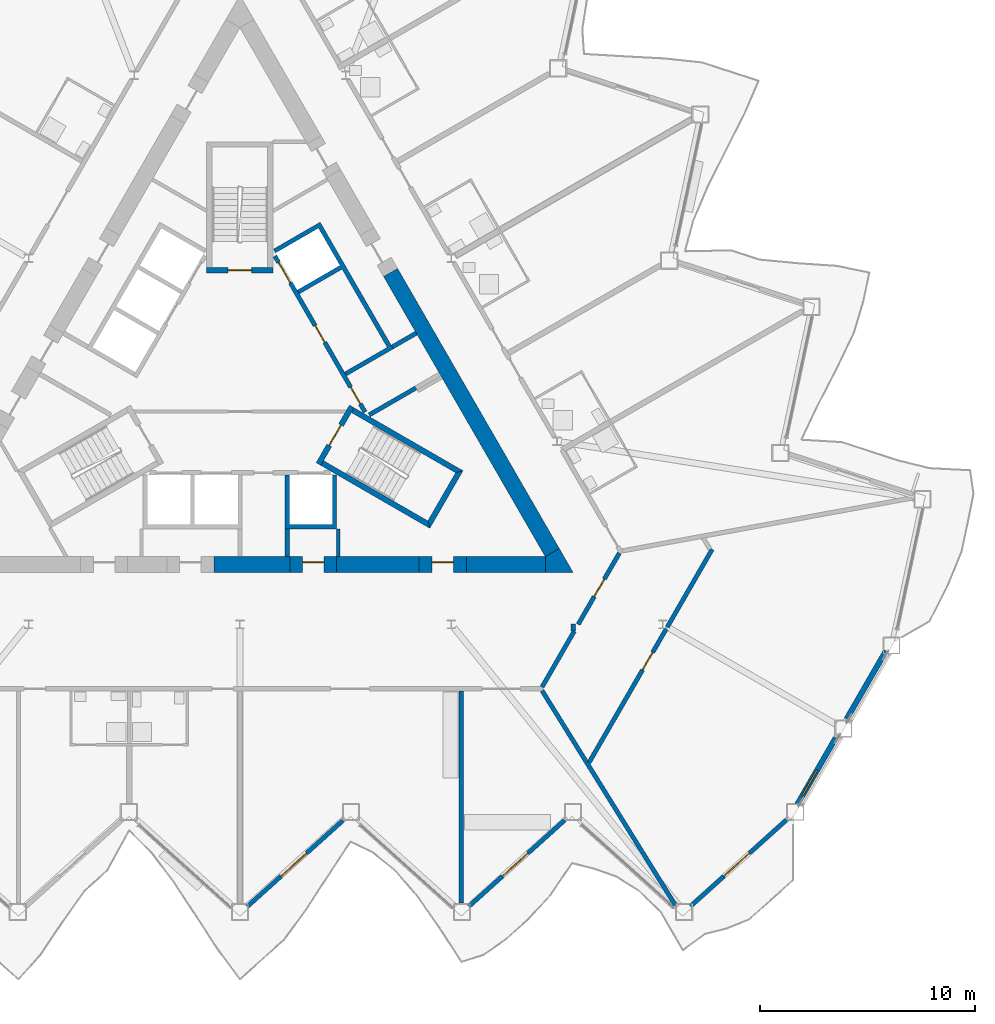
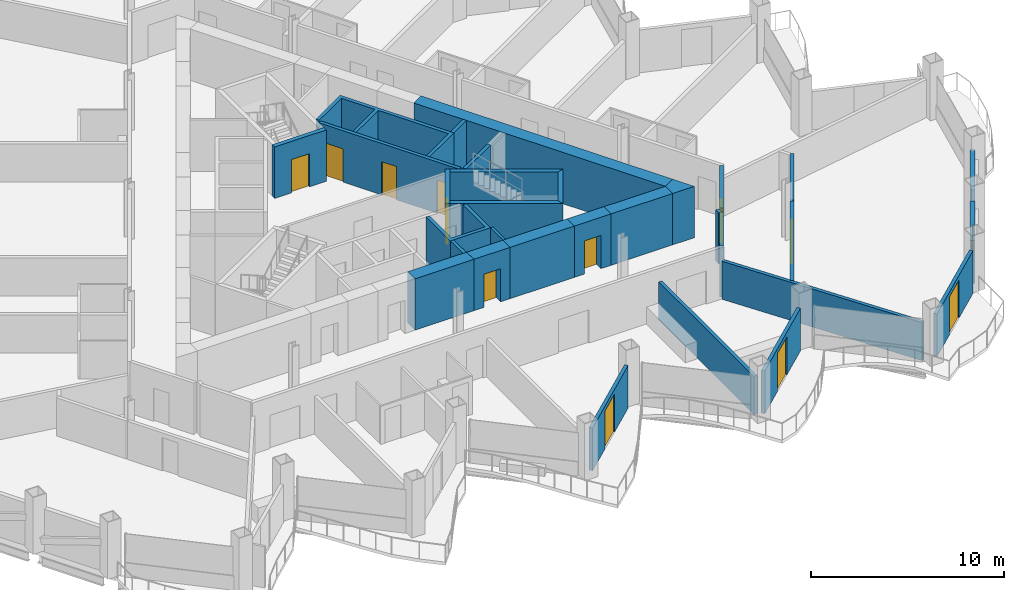
# One storey, part 13 of 24: 31 walls, 12 doors, 1 window, 13 openings.
"""IFC4 building model written with IfcOpenShell, lengths in metres."""

from ifc_helpers import new_model, si_unit, direction, frame, frame_2d, origin, place, context, subcontext, project, spatial, polyline, rectangle, outline, extrude, material, layer, layer_set, type_object, element, fill, save


model = new_model("IFC4")

# Units and contexts
model_context = context("Model", 3, precision=1e-05, world=origin(), true_north=direction((0.0, 1.0)))
body_context = subcontext(model_context, "Body", "Model", "MODEL_VIEW")
ifc_project = project(units=[si_unit("LENGTHUNIT", "METRE"), si_unit("AREAUNIT", "SQUARE_METRE"), si_unit("VOLUMEUNIT", "CUBIC_METRE"), si_unit("PLANEANGLEUNIT", "RADIAN"), si_unit("MASSUNIT", "GRAM", prefix="KILO")], contexts=[model_context])

# Site, building, storey
site_placement = place(None, origin())
site = spatial("IfcSite", under=ifc_project, at=site_placement, CompositionType="ELEMENT")
building_placement = place(site_placement, origin())
building = spatial("IfcBuilding", under=site, at=building_placement, Name="Cormorant Prow Tower", CompositionType="ELEMENT")
storey_placement = place(building_placement, frame((0.0, 0.0, 205.199951171875)))
storey = spatial("IfcBuildingStorey", under=building, at=storey_placement, Name="L45", CompositionType="ELEMENT", Elevation=205.199951171875)

# Walls
ifc_material_1 = material(Name="Gypsum board partition")
ifc_layer_1 = layer(ifc_material_1, 0.14990234375)
ifc_layer_set_1 = layer_set([ifc_layer_1], Name="Gypsum board partition")
wall_type_1 = type_object("IfcWallType", Name="Core partition 150", PredefinedType="PARTITIONING", material=ifc_layer_set_1)
wall_1_placement = place(storey_placement, frame((4.574951171875, -6.906005859375, 0.0), z_axis=(0.0, 0.0, 1.0), x_axis=(0.0, -1.0, 0.0)))
element("IfcWall", 1, at=wall_1_placement, inside=storey, type_object=wall_type_1, Name="Service room partition", PredefinedType="PARTITIONING", context=body_context, shape_type="SweptSolid", body=[
    extrude(rectangle(XDim=1.29296875, YDim=0.14990234375, at=frame_2d((0.646484375, 0.0))), origin(), (0.0, 0.0, 1.0), 3.25),
])
ifc_material_2 = material(Name="Concrete 8000 psi", Category="concrete")
ifc_layer_2 = layer(ifc_material_2, 0.75)
ifc_layer_set_2 = layer_set([ifc_layer_2], Name="Concrete 8000 psi")
wall_type_2 = type_object("IfcWallType", Name="Core shear wall 750", PredefinedType="SHEAR", material=ifc_layer_set_2)
wall_2_placement = place(storey_placement, frame((4.47998046875, -8.573974609375, 0.0), z_axis=(0.0, 0.0, 1.0), x_axis=(1.0, 0.0, 0.0)))
element("IfcWall", 2, at=wall_2_placement, inside=storey, type_object=wall_type_2, Name="Core wall", PredefinedType="SHEAR", context=body_context, shape_type="SweptSolid", body=[
    extrude(rectangle(XDim=3.845458984375, YDim=0.75, at=frame_2d((1.9228515625, 0.0))), origin(), (0.0, 0.0, 1.0), 3.25),
])
wall_3_placement = place(storey_placement, frame((10.525390625, -8.573974609375, 0.0), z_axis=(0.0, 0.0, 1.0), x_axis=(1.0, 0.0, 0.0)))
element("IfcWall", 3, at=wall_3_placement, inside=storey, type_object=wall_type_2, Name="Core wall", PredefinedType="SHEAR", context=body_context, shape_type="SweptSolid", body=[
    extrude(rectangle(XDim=3.675537109375, YDim=0.75, at=frame_2d((1.837890625, 0.0))), origin(), (0.0, 0.0, 1.0), 3.25),
])
wall_4_placement = place(storey_placement, frame((-1.199951171875, -8.573974609375, 0.0), z_axis=(0.0, 0.0, 1.0), x_axis=(1.0, 0.0, 0.0)))
element("IfcWall", 4, at=wall_4_placement, inside=storey, type_object=wall_type_2, Name="Core wall", PredefinedType="SHEAR", context=body_context, shape_type="SweptSolid", body=[
    extrude(rectangle(XDim=3.52001953125, YDim=0.75, at=frame_2d((1.760009765625, 0.0))), origin(), (0.0, 0.0, 1.0), 3.25),
])
wall_5_placement = place(storey_placement, frame((14.525634765625, -8.011474609375, 0.0), z_axis=(0.0, 0.0, 1.0), x_axis=(-0.499996012963, 0.866027705689, 0.0)))
element("IfcWall", 5, at=wall_5_placement, inside=storey, type_object=wall_type_2, Name="Core wall", PredefinedType="SHEAR", context=body_context, shape_type="SweptSolid", body=[
    extrude(rectangle(XDim=15.03857421875, YDim=0.75, at=frame_2d((7.519287109375, 0.0))), origin(), (0.0, 0.0, 1.0), 3.25),
])
wall_6_placement = place(storey_placement, origin())
element("IfcWall", 6, at=wall_6_placement, inside=storey, type_object=wall_type_2, Name="Core wall corner", PredefinedType="SHEAR", context=body_context, shape_type="SweptSolid", body=[
    extrude(outline(polyline([(14.200927734375, -8.948974609375), (14.200927734375, -8.198974609375), (14.8505859375, -7.823974609375), (15.5, -8.948974609375), (14.200927734375, -8.948974609375)])), origin(), (0.0, 0.0, 1.0), 3.25),
])

# Wall, opening, door
wall_7_placement = place(storey_placement, frame((2.320068359375, -8.573974609375, 0.0), z_axis=(0.0, 0.0, 1.0), x_axis=(1.0, 0.0, 0.0)))
wall_7 = element("IfcWall", 7, at=wall_7_placement, inside=storey, type_object=wall_type_2, Name="Core wall door panel", PredefinedType="SHEAR", context=body_context, shape_type="SweptSolid", body=[
    extrude(rectangle(XDim=2.159912109375, YDim=0.75, at=frame_2d((1.080078125, 0.0))), origin(), (0.0, 0.0, 1.0), 3.25),
])
opening_1_placement = place(wall_7_placement, frame((0.60009765625, 0.0, 0.0)))
opening_1 = element("IfcOpeningElement", 8, at=opening_1_placement, cuts=wall_7, Name="Opening L45-C15", PredefinedType="OPENING", context=body_context, shape_type="SweptSolid", body=[
    extrude(rectangle(XDim=1.0, YDim=2.10009765625, at=frame_2d((0.5, 1.050048828125))), frame((0.0, 0.385009765625, 0.0), z_axis=(0.0, -1.0, 0.0), x_axis=(1.0, 0.0, 0.0)), (0.0, 0.0, 1.0), 0.77001953125),
])
ifc_material_3 = material(Name="Painted steel", Category="steel")
door_type_1 = type_object("IfcDoorType", Name="Service door 1000x2100", OperationType="NOTDEFINED", PredefinedType="DOOR", material=ifc_material_3)
door_1_placement = place(opening_1_placement, origin())
door_1 = element("IfcDoor", 9, at=door_1_placement, inside=storey, type_object=door_type_1, Name="Core door, Telecom room", OperationType="SINGLE_SWING_RIGHT", OverallHeight=2.10009765625, OverallWidth=1.0, PredefinedType="DOOR", context=body_context, shape_type="SweptSolid", body=[
    extrude(rectangle(XDim=1.0, YDim=2.10009765625, at=frame_2d((0.5, 1.050048828125))), frame((0.0, 0.1298828125, 0.0), z_axis=(0.0, -1.0, 0.0), x_axis=(1.0, 0.0, 0.0)), (0.0, 0.0, 1.0), 0.050048828125),
])
fill(opening_1, door_1)

wall_8_placement = place(storey_placement, frame((8.325439453125, -8.573974609375, 0.0), z_axis=(0.0, 0.0, 1.0), x_axis=(1.0, 0.0, 0.0)))
wall_8 = element("IfcWall", 10, at=wall_8_placement, inside=storey, type_object=wall_type_2, Name="Core wall door panel", PredefinedType="SHEAR", context=body_context, shape_type="SweptSolid", body=[
    extrude(rectangle(XDim=2.199951171875, YDim=0.75, at=frame_2d((1.10009765625, 0.0))), origin(), (0.0, 0.0, 1.0), 3.25),
])
opening_2_placement = place(wall_8_placement, frame((0.60009765625, 0.0, 0.0)))
opening_2 = element("IfcOpeningElement", 11, at=opening_2_placement, cuts=wall_8, Name="Opening L45-C17", PredefinedType="OPENING", context=body_context, shape_type="SweptSolid", body=[
    extrude(rectangle(XDim=1.0, YDim=2.10009765625, at=frame_2d((0.5, 1.050048828125))), frame((0.0, 0.385009765625, 0.0), z_axis=(0.0, -1.0, 0.0), x_axis=(1.0, 0.0, 0.0)), (0.0, 0.0, 1.0), 0.77001953125),
])
door_2_placement = place(opening_2_placement, origin())
door_2 = element("IfcDoor", 12, at=door_2_placement, inside=storey, type_object=door_type_1, Name="Core door, Cleaners store", OperationType="SINGLE_SWING_RIGHT", OverallHeight=2.10009765625, OverallWidth=1.0, PredefinedType="DOOR", context=body_context, shape_type="SweptSolid", body=[
    extrude(rectangle(XDim=1.0, YDim=2.10009765625, at=frame_2d((0.5, 1.050048828125))), frame((0.0, 0.1298828125, 0.0), z_axis=(0.0, -1.0, 0.0), x_axis=(1.0, 0.0, 0.0)), (0.0, 0.0, 1.0), 0.050048828125),
])
fill(opening_2, door_2)

ifc_material_4 = material(Name="Gypsum board corridor wall")
ifc_layer_3 = layer(ifc_material_4, 0.199951171875)
ifc_layer_set_3 = layer_set([ifc_layer_3], Name="Gypsum board corridor wall")
wall_type_3 = type_object("IfcWallType", Name="Corridor wall 200", PredefinedType="PARTITIONING", material=ifc_layer_set_3)
wall_9_placement = place(storey_placement, frame((15.73095703125, -11.348876953125, 0.0), z_axis=(0.0, 0.0, 1.0), x_axis=(0.499961815444, 0.866047448526, 0.0)))
wall_9 = element("IfcWall", 13, at=wall_9_placement, inside=storey, type_object=wall_type_3, Name="Corridor wall", PredefinedType="PARTITIONING", context=body_context, shape_type="SweptSolid", body=[
    extrude(rectangle(XDim=3.825927734375, YDim=0.199951171875, at=frame_2d((1.9130859375, 0.0))), origin(), (0.0, 0.0, 1.0), 3.25),
])
opening_3_placement = place(wall_9_placement, frame((1.48974609375, 0.0, 0.0)))
opening_3 = element("IfcOpeningElement", 14, at=opening_3_placement, cuts=wall_9, Name="Opening L45-F08", PredefinedType="OPENING", context=body_context, shape_type="SweptSolid", body=[
    extrude(rectangle(XDim=0.949951171875, YDim=2.10009765625, at=frame_2d((0.47509765625, 1.050048828125))), frame((0.0, 0.10986328125, 0.0), z_axis=(0.0, -1.0, 0.0), x_axis=(1.0, 0.0, 0.0)), (0.0, 0.0, 1.0), 0.219970703125),
])
ifc_material_5 = material(Name="Timber door leaf", Category="wood")
door_type_2 = type_object("IfcDoorType", Name="Store door 950x2100", OperationType="NOTDEFINED", PredefinedType="DOOR", material=ifc_material_5)
door_3_placement = place(opening_3_placement, origin())
door_3 = element("IfcDoor", 15, at=door_3_placement, inside=storey, type_object=door_type_2, Name="Housekeeping room door", OperationType="SINGLE_SWING_RIGHT", OverallHeight=2.10009765625, OverallWidth=0.949951171875, PredefinedType="DOOR", context=body_context, shape_type="SweptSolid", body=[
    extrude(rectangle(XDim=0.949951171875, YDim=2.10009765625, at=frame_2d((0.47509765625, 1.050048828125))), frame((0.0, 0.02490234375, 0.0), z_axis=(0.0, -1.0, 0.0), x_axis=(1.0, 0.0, 0.0)), (0.0, 0.0, 1.0), 0.050048828125),
])
fill(opening_3, door_3)

# Walls
wall_10_placement = place(storey_placement, frame((14.048828125, -14.26220703125, 0.0), z_axis=(0.0, 0.0, 1.0), x_axis=(0.500048608389, 0.865997337899, 0.0)))
element("IfcWall", 16, at=wall_10_placement, inside=storey, type_object=wall_type_3, Name="Corridor wall", PredefinedType="PARTITIONING", context=body_context, shape_type="SweptSolid", body=[
    extrude(rectangle(XDim=3.002197265625, YDim=0.199951171875, at=frame_2d((1.5009765625, 0.0))), origin(), (0.0, 0.0, 1.0), 3.25),
])
wall_11_placement = place(storey_placement, frame((15.5, -11.64892578125, 0.0), z_axis=(0.0, 0.0, 1.0), x_axis=(0.0, 1.0, 0.0)))
element("IfcWall", 17, at=wall_11_placement, inside=storey, type_object=wall_type_3, Name="Corridor wall", PredefinedType="PARTITIONING", context=body_context, shape_type="SweptSolid", body=[
    extrude(rectangle(XDim=0.31005859375, YDim=0.199951171875, at=frame_2d((0.155029296875, 0.0))), origin(), (0.0, 0.0, 1.0), 3.25),
])
ifc_material_6 = material(Name="Gypsum board demising wall")
ifc_layer_4 = layer(ifc_material_6, 0.199951171875)
ifc_layer_set_4 = layer_set([ifc_layer_4], Name="Gypsum board demising wall")
wall_type_4 = type_object("IfcWallType", Name="Demising wall 200", PredefinedType="PARTITIONING", material=ifc_layer_set_4)
wall_12_placement = place(storey_placement, frame((14.051513671875, -14.433837890625, 0.0), z_axis=(0.0, 0.0, 1.0), x_axis=(0.527581174538, -0.849504622868, 0.0)))
element("IfcWall", 18, at=wall_12_placement, inside=storey, type_object=wall_type_4, Name="Demising wall", PredefinedType="PARTITIONING", context=body_context, shape_type="SweptSolid", body=[
    extrude(rectangle(XDim=11.74658203125, YDim=0.199951171875, at=frame_2d((5.873291015625, 0.0))), origin(), (0.0, 0.0, 1.0), 2.404296875),
])
wall_13_placement = place(storey_placement, frame((10.296142578125, -24.3115234375, 0.0), z_axis=(0.0, 0.0, 1.0), x_axis=(0.0, 1.0, 0.0)))
element("IfcWall", 19, at=wall_13_placement, inside=storey, type_object=wall_type_4, Name="Demising wall", PredefinedType="PARTITIONING", context=body_context, shape_type="SweptSolid", body=[
    extrude(rectangle(XDim=9.862548828125, YDim=0.199951171875, at=frame_2d((4.93115234375, 0.0))), origin(), (0.0, 0.0, 1.0), 2.404296875),
])

# Wall, opening, door
wall_14_placement = place(storey_placement, frame((16.23291015625, -17.779296875, 0.0), z_axis=(0.0, 0.0, 1.0), x_axis=(0.500008997517, 0.866020209003, 0.0)))
wall_14 = element("IfcWall", 20, at=wall_14_placement, inside=storey, type_object=wall_type_4, Name="Demising wall", PredefinedType="PARTITIONING", context=body_context, shape_type="SweptSolid", body=[
    extrude(rectangle(XDim=7.178466796875, YDim=0.199951171875, at=frame_2d((3.58935546875, 0.0))), origin(), (0.0, 0.0, 1.0), 2.404296875),
])
opening_4_placement = place(wall_14_placement, frame((4.973388671875, 0.0, 0.0)))
opening_4 = element("IfcOpeningElement", 21, at=opening_4_placement, cuts=wall_14, Name="Opening L45-F09", PredefinedType="OPENING", context=body_context, shape_type="SweptSolid", body=[
    extrude(rectangle(XDim=0.949951171875, YDim=2.10009765625, at=frame_2d((0.47509765625, 1.050048828125))), frame((0.0, 0.10986328125, 0.0), z_axis=(0.0, -1.0, 0.0), x_axis=(1.0, 0.0, 0.0)), (0.0, 0.0, 1.0), 0.219970703125),
])
door_4_placement = place(opening_4_placement, origin())
door_4 = element("IfcDoor", 22, at=door_4_placement, inside=storey, type_object=door_type_2, Name="Linen store door", OperationType="SINGLE_SWING_RIGHT", OverallHeight=2.10009765625, OverallWidth=0.949951171875, PredefinedType="DOOR", context=body_context, shape_type="SweptSolid", body=[
    extrude(rectangle(XDim=0.949951171875, YDim=2.10009765625, at=frame_2d((0.47509765625, 1.050048828125))), frame((0.0, 0.02490234375, 0.0), z_axis=(0.0, -1.0, 0.0), x_axis=(1.0, 0.0, 0.0)), (0.0, 0.0, 1.0), 0.050048828125),
])
fill(opening_4, door_4)

# Wall
wall_15_placement = place(storey_placement, frame((19.87060546875, -11.478759765625, 0.0), z_axis=(0.0, 0.0, 1.0), x_axis=(0.499987304225, 0.866032733569, 0.0)))
element("IfcWall", 23, at=wall_15_placement, inside=storey, type_object=wall_type_4, Name="Demising wall", PredefinedType="PARTITIONING", context=body_context, shape_type="SweptSolid", body=[
    extrude(rectangle(XDim=4.17578125, YDim=0.199951171875, at=frame_2d((2.087890625, 0.0))), origin(), (0.0, 0.0, 1.0), 2.404296875),
])

# Wall, openings, doors
ifc_material_7 = material(Name="Concrete 5000 psi", Category="concrete")
ifc_layer_5 = layer(ifc_material_7, 0.199951171875)
ifc_layer_set_5 = layer_set([ifc_layer_5], Name="Concrete 5000 psi")
wall_type_5 = type_object("IfcWallType", Name="Lift lobby wall 200", PredefinedType="SOLIDWALL", material=ifc_layer_set_5)
wall_16_placement = place(storey_placement, frame((5.817138671875, -1.4755859375, 0.0), z_axis=(0.0, 0.0, 1.0), x_axis=(-0.500002616675, 0.866023893041, 0.0)))
wall_16 = element("IfcWall", 24, at=wall_16_placement, inside=storey, type_object=wall_type_5, Name="Lift lobby wall, ENE block", PredefinedType="SOLIDWALL", context=body_context, shape_type="SweptSolid", body=[
    extrude(rectangle(XDim=8.373046875, YDim=0.199951171875, at=frame_2d((4.1865234375, 0.0))), origin(), (0.0, 0.0, 1.0), 3.25),
])
opening_5_placement = place(wall_16_placement, frame((0.4365234375, 0.0, 0.0)))
opening_5 = element("IfcOpeningElement", 25, at=opening_5_placement, cuts=wall_16, Name="Opening L45-C05", PredefinedType="OPENING", context=body_context, shape_type="SweptSolid", body=[
    extrude(rectangle(XDim=0.89990234375, YDim=2.10009765625, at=frame_2d((0.449951171875, 1.050048828125))), frame((0.0, 0.10986328125, 0.0), z_axis=(0.0, -1.0, 0.0), x_axis=(1.0, 0.0, 0.0)), (0.0, 0.0, 1.0), 0.219970703125),
])
opening_6_placement = place(wall_16_placement, frame((3.736572265625, 0.0, 0.0)))
opening_6 = element("IfcOpeningElement", 26, at=opening_6_placement, cuts=wall_16, Name="Opening L45-C06", PredefinedType="OPENING", context=body_context, shape_type="SweptSolid", body=[
    extrude(rectangle(XDim=0.89990234375, YDim=2.10009765625, at=frame_2d((0.449951171875, 1.050048828125))), frame((0.0, 0.10986328125, 0.0), z_axis=(0.0, -1.0, 0.0), x_axis=(1.0, 0.0, 0.0)), (0.0, 0.0, 1.0), 0.219970703125),
])
opening_7_placement = place(wall_16_placement, frame((6.9365234375, 0.0, 0.0)))
opening_7 = element("IfcOpeningElement", 27, at=opening_7_placement, cuts=wall_16, Name="Opening L45-C07", PredefinedType="OPENING", context=body_context, shape_type="SweptSolid", body=[
    extrude(rectangle(XDim=1.10009765625, YDim=2.10009765625, at=frame_2d((0.550048828125, 1.050048828125))), frame((0.0, 0.10986328125, 0.0), z_axis=(0.0, -1.0, 0.0), x_axis=(1.0, 0.0, 0.0)), (0.0, 0.0, 1.0), 0.219970703125),
])
ifc_material_8 = material(Name="Painted steel", Category="steel")
door_type_3 = type_object("IfcDoorType", Name="Lift landing door 1100x2100", OperationType="SLIDING_TO_LEFT", PredefinedType="DOOR", material=ifc_material_8)
door_5_placement = place(opening_7_placement, origin())
door_5 = element("IfcDoor", 28, at=door_5_placement, inside=storey, type_object=door_type_3, Name="Landing door MR1", OperationType="SLIDING_TO_LEFT", OverallHeight=2.10009765625, OverallWidth=1.10009765625, PredefinedType="DOOR", context=body_context, shape_type="SweptSolid", body=[
    extrude(rectangle(XDim=1.10009765625, YDim=2.10009765625, at=frame_2d((0.550048828125, 1.050048828125))), frame((0.0, 0.02490234375, 0.0), z_axis=(0.0, -1.0, 0.0), x_axis=(1.0, 0.0, 0.0)), (0.0, 0.0, 1.0), 0.050048828125),
])
fill(opening_7, door_5)
ifc_material_9 = material(Name="Painted steel", Category="steel")
door_type_4 = type_object("IfcDoorType", Name="Service door 900x2100", OperationType="NOTDEFINED", PredefinedType="DOOR", material=ifc_material_9)
door_6_placement = place(opening_5_placement, origin())
door_6 = element("IfcDoor", 29, at=door_6_placement, inside=storey, type_object=door_type_4, Name="Service door, Linen store", OperationType="SINGLE_SWING_LEFT", OverallHeight=2.10009765625, OverallWidth=0.89990234375, PredefinedType="DOOR", context=body_context, shape_type="SweptSolid", body=[
    extrude(rectangle(XDim=0.89990234375, YDim=2.10009765625, at=frame_2d((0.449951171875, 1.050048828125))), frame((0.0, 0.02490234375, 0.0), z_axis=(0.0, -1.0, 0.0), x_axis=(1.0, 0.0, 0.0)), (0.0, 0.0, 1.0), 0.050048828125),
])
fill(opening_5, door_6)
door_7_placement = place(opening_6_placement, origin())
door_7 = element("IfcDoor", 30, at=door_7_placement, inside=storey, type_object=door_type_4, Name="Service door, Refuse store", OperationType="SINGLE_SWING_LEFT", OverallHeight=2.10009765625, OverallWidth=0.89990234375, PredefinedType="DOOR", context=body_context, shape_type="SweptSolid", body=[
    extrude(rectangle(XDim=0.89990234375, YDim=2.10009765625, at=frame_2d((0.449951171875, 1.050048828125))), frame((0.0, 0.02490234375, 0.0), z_axis=(0.0, -1.0, 0.0), x_axis=(1.0, 0.0, 0.0)), (0.0, 0.0, 1.0), 0.050048828125),
])
fill(opening_6, door_7)

# Walls
ifc_material_10 = material(Name="Concrete 8000 psi", Category="concrete")
ifc_layer_6 = layer(ifc_material_10, 0.199951171875)
ifc_layer_set_6 = layer_set([ifc_layer_6], Name="Concrete 8000 psi")
wall_type_6 = type_object("IfcWallType", Name="Lift shaft wall 200", PredefinedType="SHEAR", material=ifc_layer_set_6)
wall_17_placement = place(storey_placement, origin())
element("IfcWall", 31, at=wall_17_placement, inside=storey, type_object=wall_type_6, Name="Lift shaft walls, S block", PredefinedType="SHEAR", context=body_context, shape_type="SweptSolid", body=[
    extrude(outline(polyline([(4.5, -4.39990234375), (4.5, -6.906005859375), (2.10009765625, -6.906005859375), (2.10009765625, -4.39990234375), (2.300048828125, -4.39990234375), (2.300048828125, -6.699951171875), (4.300048828125, -6.699951171875), (4.300048828125, -4.39990234375), (4.5, -4.39990234375)])), origin(), (0.0, 0.0, 1.0), 3.25),
])
wall_18_placement = place(storey_placement, frame((2.199951171875, -6.906005859375, 0.0), z_axis=(0.0, 0.0, 1.0), x_axis=(0.0, -1.0, 0.0)))
element("IfcWall", 32, at=wall_18_placement, inside=storey, type_object=wall_type_6, Name="Store side wall", PredefinedType="SHEAR", context=body_context, shape_type="SweptSolid", body=[
    extrude(rectangle(XDim=1.29296875, YDim=0.199951171875, at=frame_2d((0.646484375, 0.0))), origin(), (0.0, 0.0, 1.0), 3.25),
])
wall_19_placement = place(storey_placement, origin())
element("IfcWall", 33, at=wall_19_placement, inside=storey, type_object=wall_type_6, Name="Lift shaft walls, ENE block", PredefinedType="SHEAR", context=body_context, shape_type="SweptSolid", body=[
    extrude(outline(polyline([(1.560546875, 6.09716796875), (3.730712890625, 7.35009765625), (7.130859375, 1.461181640625), (4.96044921875, 0.2080078125), (4.860595703125, 0.38134765625), (6.852294921875, 1.53125), (4.75244140625, 5.168701171875), (2.760498046875, 4.018798828125), (2.660400390625, 4.19189453125), (4.65234375, 5.341796875), (3.65234375, 7.073974609375), (1.660400390625, 5.923828125), (1.560546875, 6.09716796875)])), origin(), (0.0, 0.0, 1.0), 3.25),
])
wall_20_placement = place(storey_placement, origin())
element("IfcWall", 34, at=wall_20_placement, inside=storey, type_object=wall_type_6, Name="Lift shaft walls, ENE block", PredefinedType="SHEAR", context=body_context, shape_type="SweptSolid", body=[
    extrude(outline(polyline([(8.230712890625, -0.444091796875), (6.060546875, -1.697021484375), (5.96044921875, -1.52392578125), (8.130859375, -0.27099609375), (8.230712890625, -0.444091796875)])), origin(), (0.0, 0.0, 1.0), 3.25),
])
wall_21_placement = place(storey_placement, frame((7.080810546875, 1.547607421875, 0.0), z_axis=(0.0, 0.0, 1.0), x_axis=(0.866003189247, 0.500038474733, 0.0)))
element("IfcWall", 35, at=wall_21_placement, inside=storey, type_object=wall_type_6, Name="Store side wall", PredefinedType="SHEAR", context=body_context, shape_type="SweptSolid", body=[
    extrude(rectangle(XDim=1.29296875, YDim=0.199951171875, at=frame_2d((0.646484375, 0.0))), origin(), (0.0, 0.0, 1.0), 3.25),
])
ifc_material_11 = material(Name="Concrete 8000 psi", Category="concrete")
ifc_layer_7 = layer(ifc_material_11, 0.25)
ifc_layer_set_7 = layer_set([ifc_layer_7], Name="Concrete 8000 psi")
wall_type_7 = type_object("IfcWallType", Name="Stair wall 250", PredefinedType="SHEAR", material=ifc_layer_set_7)
wall_22_placement = place(storey_placement, origin())
element("IfcWall", 36, at=wall_22_placement, inside=storey, type_object=wall_type_7, Name="Stair ST2 enclosure wall (flank)", PredefinedType="SHEAR", context=body_context, shape_type="SweptSolid", body=[
    extrude(outline(polyline([(3.76318359375, -3.95556640625), (8.82958984375, -6.880615234375), (8.738037109375, -6.5390625), (3.88818359375, -3.739013671875), (3.76318359375, -3.95556640625)])), origin(), (0.0, 0.0, 1.0), 3.25),
])
wall_23_placement = place(storey_placement, origin())
element("IfcWall", 37, at=wall_23_placement, inside=storey, type_object=wall_type_7, Name="Stair ST2 enclosure wall (end)", PredefinedType="SHEAR", context=body_context, shape_type="SweptSolid", body=[
    extrude(outline(polyline([(8.82958984375, -6.880615234375), (10.37353515625, -4.206298828125), (10.031982421875, -4.2978515625), (8.738037109375, -6.5390625), (8.82958984375, -6.880615234375)])), origin(), (0.0, 0.0, 1.0), 3.25),
])
wall_24_placement = place(storey_placement, origin())
element("IfcWall", 38, at=wall_24_placement, inside=storey, type_object=wall_type_7, Name="Stair ST2 enclosure wall (flank)", PredefinedType="SHEAR", context=body_context, shape_type="SweptSolid", body=[
    extrude(outline(polyline([(10.031982421875, -4.2978515625), (10.37353515625, -4.206298828125), (5.30712890625, -1.28125), (5.18212890625, -1.497802734375), (10.031982421875, -4.2978515625)])), origin(), (0.0, 0.0, 1.0), 3.25),
])

# Wall, opening, door
wall_25_placement = place(storey_placement, frame((3.655029296875, -3.89306640625, 0.0), z_axis=(0.0, 0.0, 1.0), x_axis=(0.499982516597, 0.866035497597, 0.0)))
wall_25 = element("IfcWall", 39, at=wall_25_placement, inside=storey, type_object=wall_type_7, Name="Stair ST2 door wall", PredefinedType="SHEAR", context=body_context, shape_type="SweptSolid", body=[
    extrude(rectangle(XDim=3.087890625, YDim=0.25, at=frame_2d((1.5439453125, 0.0))), origin(), (0.0, 0.0, 1.0), 3.25),
])
opening_8_placement = place(wall_25_placement, frame((0.993896484375, 0.0, 0.0)))
opening_8 = element("IfcOpeningElement", 40, at=opening_8_placement, cuts=wall_25, Name="Opening L45-C12", PredefinedType="OPENING", context=body_context, shape_type="SweptSolid", body=[
    extrude(rectangle(XDim=1.10009765625, YDim=2.10009765625, at=frame_2d((0.550048828125, 1.050048828125))), frame((0.0, 0.135009765625, 0.0), z_axis=(0.0, -1.0, 0.0), x_axis=(1.0, 0.0, 0.0)), (0.0, 0.0, 1.0), 0.27001953125),
])
ifc_material_12 = material(Name="Painted steel", Category="steel")
door_type_5 = type_object("IfcDoorType", Name="Stair door 1100x2100", OperationType="NOTDEFINED", PredefinedType="DOOR", material=ifc_material_12)
door_8_placement = place(opening_8_placement, origin())
door_8 = element("IfcDoor", 41, at=door_8_placement, inside=storey, type_object=door_type_5, Name="Stair ST2 door", OperationType="SINGLE_SWING_RIGHT", OverallHeight=2.10009765625, OverallWidth=1.10009765625, PredefinedType="DOOR", context=body_context, shape_type="SweptSolid", body=[
    extrude(rectangle(XDim=1.10009765625, YDim=2.10009765625, at=frame_2d((0.550048828125, 1.050048828125))), frame((0.0, 0.02490234375, 0.0), z_axis=(0.0, -1.0, 0.0), x_axis=(1.0, 0.0, 0.0)), (0.0, 0.0, 1.0), 0.050048828125),
])
fill(opening_8, door_8)

wall_26_placement = place(storey_placement, frame((1.5439453125, 5.11181640625, 0.0), z_axis=(0.0, 0.0, 1.0), x_axis=(-1.0, 0.0, 0.0)))
wall_26 = element("IfcWall", 42, at=wall_26_placement, inside=storey, type_object=wall_type_7, Name="Stair ST3 door wall", PredefinedType="SHEAR", context=body_context, shape_type="SweptSolid", body=[
    extrude(rectangle(XDim=3.087890625, YDim=0.25, at=frame_2d((1.5439453125, 0.0))), origin(), (0.0, 0.0, 1.0), 3.25),
])
opening_9_placement = place(wall_26_placement, frame((0.993896484375, 0.0, 0.0)))
opening_9 = element("IfcOpeningElement", 43, at=opening_9_placement, cuts=wall_26, Name="Opening L45-C13", PredefinedType="OPENING", context=body_context, shape_type="SweptSolid", body=[
    extrude(rectangle(XDim=1.10009765625, YDim=2.10009765625, at=frame_2d((0.550048828125, 1.050048828125))), frame((0.0, 0.135009765625, 0.0), z_axis=(0.0, -1.0, 0.0), x_axis=(1.0, 0.0, 0.0)), (0.0, 0.0, 1.0), 0.27001953125),
])
door_9_placement = place(opening_9_placement, origin())
door_9 = element("IfcDoor", 44, at=door_9_placement, inside=storey, type_object=door_type_5, Name="Stair ST3 door", OperationType="SINGLE_SWING_LEFT", OverallHeight=2.10009765625, OverallWidth=1.10009765625, PredefinedType="DOOR", context=body_context, shape_type="SweptSolid", body=[
    extrude(rectangle(XDim=1.10009765625, YDim=2.10009765625, at=frame_2d((0.550048828125, 1.050048828125))), frame((0.0, 0.02490234375, 0.0), z_axis=(0.0, -1.0, 0.0), x_axis=(1.0, 0.0, 0.0)), (0.0, 0.0, 1.0), 0.050048828125),
])
fill(opening_9, door_9)

# Wall, opening, window
ifc_material_13 = material(Name="Terracotta", Category="masonry")
ifc_layer_8 = layer(ifc_material_13, 0.25)
ifc_layer_set_8 = layer_set([ifc_layer_8], Name="Terracotta")
wall_type_8 = type_object("IfcWallType", Name="Terracotta bay wall 250", PredefinedType="SOLIDWALL", material=ifc_layer_set_8)
wall_27_placement = place(storey_placement, frame((25.915771484375, -19.7255859375, 0.0), z_axis=(0.0, 0.0, 1.0), x_axis=(0.500054932303, 0.865993686281, 0.0)))
wall_27 = element("IfcWall", 45, at=wall_27_placement, inside=storey, type_object=wall_type_8, Name="Terracotta bay wall ESE00", PredefinedType="SOLIDWALL", context=body_context, shape_type="SweptSolid", body=[
    extrude(rectangle(XDim=3.58056640625, YDim=0.25, at=frame_2d((1.790283203125, 0.0))), origin(), (0.0, 0.0, 1.0), 2.700927734375),
])
opening_10_placement = place(wall_27_placement, frame((0.449951171875, 0.0, 1.699951171875)))
opening_10 = element("IfcOpeningElement", 46, at=opening_10_placement, cuts=wall_27, Name="Opening WN3", PredefinedType="OPENING", context=body_context, shape_type="SweptSolid", body=[
    extrude(rectangle(XDim=1.39990234375, YDim=0.800048828125, at=frame_2d((0.699951171875, 0.39990234375))), frame((0.0, 0.135009765625, 0.0), z_axis=(0.0, -1.0, 0.0), x_axis=(1.0, 0.0, 0.0)), (0.0, 0.0, 1.0), 0.27001953125),
])
ifc_material_14 = material(Name="Aluminium 6063-T6", Category="aluminium")
window_type = type_object("IfcWindowType", Name="Corner bay window 1400x800", PartitioningType="SINGLE_PANEL", PredefinedType="WINDOW", material=ifc_material_14)
window_placement = place(opening_10_placement, origin())
window = element("IfcWindow", 47, at=window_placement, inside=storey, type_object=window_type, Name="Corner bay window ESE00", OverallHeight=0.800048828125, OverallWidth=1.39990234375, PartitioningType="SINGLE_PANEL", PredefinedType="WINDOW", context=body_context, shape_type="SweptSolid", body=[
    extrude(rectangle(XDim=1.39990234375, YDim=0.800048828125, at=frame_2d((0.699951171875, 0.39990234375))), frame((0.0, 0.030029296875, 0.0), z_axis=(0.0, -1.0, 0.0), x_axis=(1.0, 0.0, 0.0)), (0.0, 0.0, 1.0), 0.06005859375),
])
fill(opening_10, window)

# Wall
wall_28_placement = place(storey_placement, frame((28.21142578125, -15.749755859375, 0.0), z_axis=(0.0, 0.0, 1.0), x_axis=(0.499978523533, 0.866037802874, 0.0)))
element("IfcWall", 48, at=wall_28_placement, inside=storey, type_object=wall_type_8, Name="Terracotta bay wall ESE01", PredefinedType="SOLIDWALL", context=body_context, shape_type="SweptSolid", body=[
    extrude(rectangle(XDim=3.658935546875, YDim=0.25, at=frame_2d((1.82958984375, 0.0))), origin(), (0.0, 0.0, 1.0), 2.700927734375),
])

# Wall, opening, door
ifc_material_15 = material(Name="Terracotta", Category="masonry")
ifc_layer_9 = layer(ifc_material_15, 0.199951171875)
ifc_layer_set_9 = layer_set([ifc_layer_9], Name="Terracotta")
wall_type_9 = type_object("IfcWallType", Name="Terracotta jamb wall 200", PredefinedType="SOLIDWALL", material=ifc_layer_set_9)
wall_29_placement = place(storey_placement, frame((0.355224609375, -24.4609375, 0.0), z_axis=(0.0, 0.0, 1.0), x_axis=(0.743133280699, 0.669143427912, 0.0)))
wall_29 = element("IfcWall", 49, at=wall_29_placement, inside=storey, type_object=wall_type_9, Name="Terracotta jamb wall S05", PredefinedType="SOLIDWALL", context=body_context, shape_type="SweptSolid", body=[
    extrude(rectangle(XDim=5.96240234375, YDim=0.199951171875, at=frame_2d((2.981201171875, 0.0))), origin(), (0.0, 0.0, 1.0), 2.700927734375),
])
opening_11_placement = place(wall_29_placement, frame((2.095703125, 0.0, 0.0)))
opening_11 = element("IfcOpeningElement", 50, at=opening_11_placement, cuts=wall_29, Name="Opening ED45.03", PredefinedType="OPENING", context=body_context, shape_type="SweptSolid", body=[
    extrude(rectangle(XDim=1.60009765625, YDim=2.39990234375, at=frame_2d((0.800048828125, 1.199951171875))), frame((0.0, 0.10986328125, 0.0), z_axis=(0.0, -1.0, 0.0), x_axis=(1.0, 0.0, 0.0)), (0.0, 0.0, 1.0), 0.219970703125),
])
ifc_material_16 = material(Name="Aluminium 6063-T6", Category="aluminium")
door_type_6 = type_object("IfcDoorType", Name="Balcony door 1600x2400", OperationType="DOUBLE_DOOR_SINGLE_SWING", PredefinedType="DOOR", material=ifc_material_16)
door_10_placement = place(opening_11_placement, origin())
door_10 = element("IfcDoor", 51, at=door_10_placement, inside=storey, type_object=door_type_6, Name="Balcony door S05 ED45.03", OperationType="DOUBLE_DOOR_SINGLE_SWING", OverallHeight=2.39990234375, OverallWidth=1.60009765625, PredefinedType="DOOR", context=body_context, shape_type="SweptSolid", body=[
    extrude(rectangle(XDim=1.60009765625, YDim=2.39990234375, at=frame_2d((0.800048828125, 1.199951171875))), frame((0.0, 0.02490234375, 0.0), z_axis=(0.0, -1.0, 0.0), x_axis=(1.0, 0.0, 0.0)), (0.0, 0.0, 1.0), 0.050048828125),
])
fill(opening_11, door_10)

wall_30_placement = place(storey_placement, frame((10.6513671875, -24.4609375, 0.0), z_axis=(0.0, 0.0, 1.0), x_axis=(0.743135744435, 0.669140691741, 0.0)))
wall_30 = element("IfcWall", 52, at=wall_30_placement, inside=storey, type_object=wall_type_9, Name="Terracotta jamb wall S07", PredefinedType="SOLIDWALL", context=body_context, shape_type="SweptSolid", body=[
    extrude(rectangle(XDim=5.978515625, YDim=0.199951171875, at=frame_2d((2.9892578125, 0.0))), origin(), (0.0, 0.0, 1.0), 2.700927734375),
])
opening_12_placement = place(wall_30_placement, frame((2.095703125, 0.0, 0.0)))
opening_12 = element("IfcOpeningElement", 53, at=opening_12_placement, cuts=wall_30, Name="Opening ED45.04", PredefinedType="OPENING", context=body_context, shape_type="SweptSolid", body=[
    extrude(rectangle(XDim=1.60009765625, YDim=2.39990234375, at=frame_2d((0.800048828125, 1.199951171875))), frame((0.0, 0.10986328125, 0.0), z_axis=(0.0, -1.0, 0.0), x_axis=(1.0, 0.0, 0.0)), (0.0, 0.0, 1.0), 0.219970703125),
])
door_11_placement = place(opening_12_placement, origin())
door_11 = element("IfcDoor", 54, at=door_11_placement, inside=storey, type_object=door_type_6, Name="Balcony door S07 ED45.04", OperationType="DOUBLE_DOOR_SINGLE_SWING", OverallHeight=2.39990234375, OverallWidth=1.60009765625, PredefinedType="DOOR", context=body_context, shape_type="SweptSolid", body=[
    extrude(rectangle(XDim=1.60009765625, YDim=2.39990234375, at=frame_2d((0.800048828125, 1.199951171875))), frame((0.0, 0.02490234375, 0.0), z_axis=(0.0, -1.0, 0.0), x_axis=(1.0, 0.0, 0.0)), (0.0, 0.0, 1.0), 0.050048828125),
])
fill(opening_12, door_11)

wall_31_placement = place(storey_placement, frame((20.947265625, -24.4609375, 0.0), z_axis=(0.0, 0.0, 1.0), x_axis=(0.743162770969, 0.669110675333, 0.0)))
wall_31 = element("IfcWall", 55, at=wall_31_placement, inside=storey, type_object=wall_type_9, Name="Terracotta jamb wall S09", PredefinedType="SOLIDWALL", context=body_context, shape_type="SweptSolid", body=[
    extrude(rectangle(XDim=6.0068359375, YDim=0.199951171875, at=frame_2d((3.00341796875, 0.0))), origin(), (0.0, 0.0, 1.0), 2.700927734375),
])
opening_13_placement = place(wall_31_placement, frame((2.095703125, 0.0, 0.0)))
opening_13 = element("IfcOpeningElement", 56, at=opening_13_placement, cuts=wall_31, Name="Opening ED45.05", PredefinedType="OPENING", context=body_context, shape_type="SweptSolid", body=[
    extrude(rectangle(XDim=1.60009765625, YDim=2.39990234375, at=frame_2d((0.800048828125, 1.199951171875))), frame((0.0, 0.10986328125, 0.0), z_axis=(0.0, -1.0, 0.0), x_axis=(1.0, 0.0, 0.0)), (0.0, 0.0, 1.0), 0.219970703125),
])
door_12_placement = place(opening_13_placement, origin())
door_12 = element("IfcDoor", 57, at=door_12_placement, inside=storey, type_object=door_type_6, Name="Balcony door S09 ED45.05", OperationType="DOUBLE_DOOR_SINGLE_SWING", OverallHeight=2.39990234375, OverallWidth=1.60009765625, PredefinedType="DOOR", context=body_context, shape_type="SweptSolid", body=[
    extrude(rectangle(XDim=1.60009765625, YDim=2.39990234375, at=frame_2d((0.800048828125, 1.199951171875))), frame((0.0, 0.02490234375, 0.0), z_axis=(0.0, -1.0, 0.0), x_axis=(1.0, 0.0, 0.0)), (0.0, 0.0, 1.0), 0.050048828125),
])
fill(opening_13, door_12)

save(model, "model.ifc")
